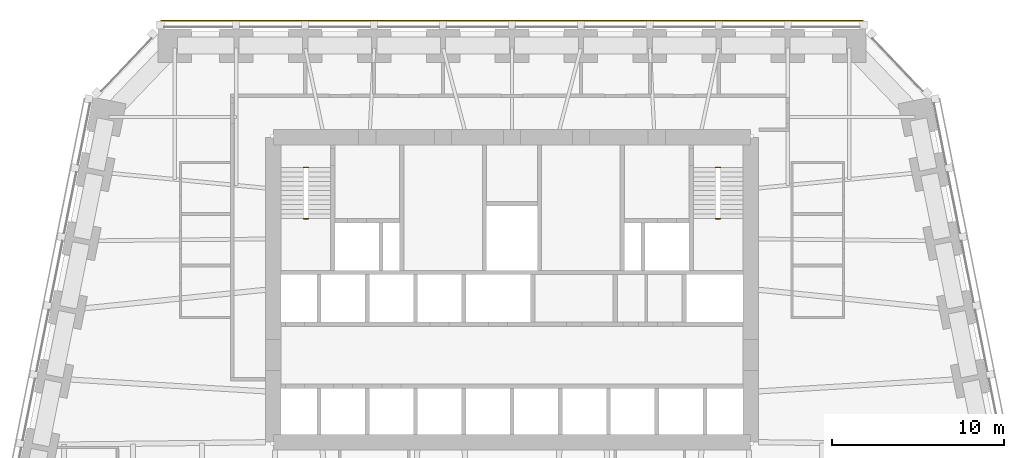
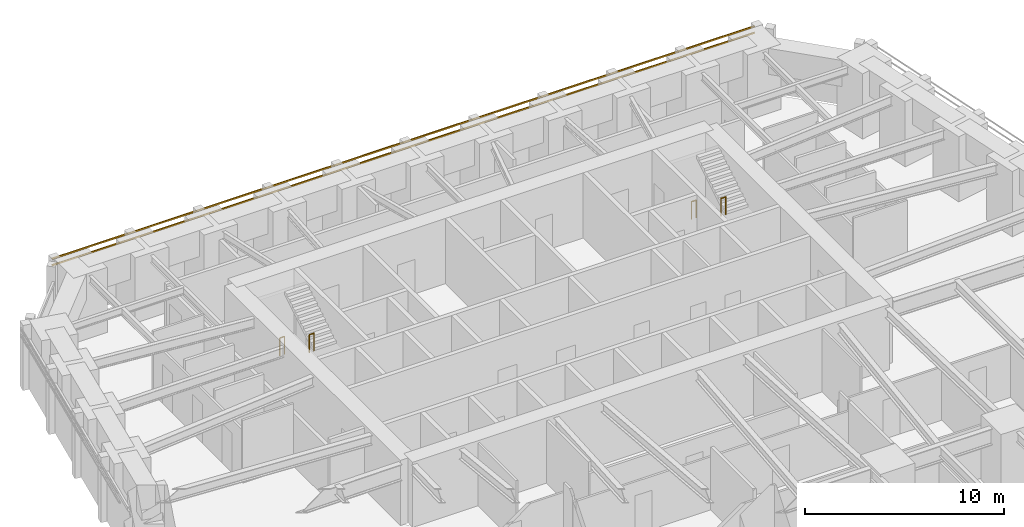
# One storey, part 10 of 10: 4 railings, 2 shading devices.
"""IFC4 building model written with IfcOpenShell, lengths in metres."""

from ifc_helpers import new_model, si_unit, direction, frame, origin, origin_2d, place, context, subcontext, project, spatial, rectangle, circle, extrude, material, material_profile, profile_set, type_object, element, save


model = new_model("IFC4")

# Units and contexts
model_context = context("Model", 3, precision=1e-05, world=origin(), true_north=direction((0.0, 1.0)))
body_context = subcontext(model_context, "Body", "Model", "MODEL_VIEW")
ifc_project = project(units=[si_unit("LENGTHUNIT", "METRE"), si_unit("AREAUNIT", "SQUARE_METRE"), si_unit("VOLUMEUNIT", "CUBIC_METRE"), si_unit("PLANEANGLEUNIT", "RADIAN"), si_unit("MASSUNIT", "GRAM", prefix="KILO")], contexts=[model_context])

# Site, building, storey
site_placement = place(None, origin())
site = spatial("IfcSite", under=ifc_project, at=site_placement, CompositionType="ELEMENT")
building_placement = place(site_placement, origin())
building = spatial("IfcBuilding", under=site, at=building_placement, Name="Isbrekke Arena Tower", CompositionType="ELEMENT")
storey_placement = place(building_placement, frame((0.0, 0.0, 72.0)))
storey = spatial("IfcBuildingStorey", under=building, at=storey_placement, Name="L15", CompositionType="ELEMENT", Elevation=72.0)

# Shading devices
ifc_material_1 = material(Name="Terracotta", Category="masonry")
ifc_material_profile = material_profile(ifc_material_1, rectangle(XDim=0.06005859375, YDim=0.06005859375, at=origin_2d()), Name="BAGUETTE 60X60")
ifc_profile_set = profile_set([ifc_material_profile], Name="Terracotta")
shading_device_type = type_object("IfcShadingDeviceType", Name="BG1 TERRACOTTA BAGUETTE 60 x 60", PredefinedType="USERDEFINED", material=ifc_profile_set)
for number, where, z_axis, x_axis, name in (
    (1, (20.39990234375, 30.6298828125, 3.280029296875), (-1.0, 0.0, 0.0), (0.0, -1.0, 0.0), "BG1 terracotta baguette N1 L15"),
    (2, (20.39990234375, 30.6298828125, 3.679931640625), (-1.0, 0.0, 0.0), (0.0, -1.0, 0.0), "BG1 terracotta baguette N2 L15"),
):
    element("IfcShadingDevice", number, at=place(storey_placement, frame(where, z_axis=z_axis, x_axis=x_axis)), inside=storey, type_object=shading_device_type, Name=name, ObjectType="TERRACOTTA BAGUETTE", PredefinedType="USERDEFINED", context=body_context, shape_type="SweptSolid", body=[
        extrude(rectangle(XDim=0.06005859375, YDim=0.06005859375, at=origin_2d()), origin(), (0.0, 0.0, 1.0), 40.7998046875),
    ])

# Railings
ifc_material_2 = material(Name="Steel stair guard, vertical bars, steel handrail", Category="steel")
railing_type = type_object("IfcRailingType", Name="GR3 STAIR WELL GUARD 1100", PredefinedType="GUARDRAIL", material=ifc_material_2)
for number, where, name in (
    (3, (-12.10009765625, 22.10009765625, 0.0), "GR3 stair well guard ST1 L15"),
    (4, (-12.10009765625, 19.1298828125, 2.0), "GR3 stair well guard ST1 L15"),
    (5, (11.824951171875, 22.10009765625, 0.0), "GR3 stair well guard ST2 L15"),
    (6, (11.824951171875, 19.1298828125, 2.0), "GR3 stair well guard ST2 L15"),
):
    element("IfcRailing", number, at=place(storey_placement, frame(where)), inside=storey, type_object=railing_type, Name=name, PredefinedType="GUARDRAIL", context=body_context, shape_type="SweptSolid", body=[
        extrude(circle(Radius=0.02392578125, at=origin_2d()), frame((0.0, 0.0, 1.076171875), z_axis=(1.0, 0.0, 0.0), x_axis=(0.0, 1.0, 0.0)), (0.0, 0.0, 1.0), 0.275146484375),
        extrude(circle(Radius=0.02099609375, at=origin_2d()), origin(), (0.0, 0.0, 1.0), 1.052001953125),
        extrude(circle(Radius=0.02099609375, at=origin_2d()), frame((0.275146484375, 0.0, 0.0)), (0.0, 0.0, 1.0), 1.052001953125),
    ])

save(model, "model.ifc")
